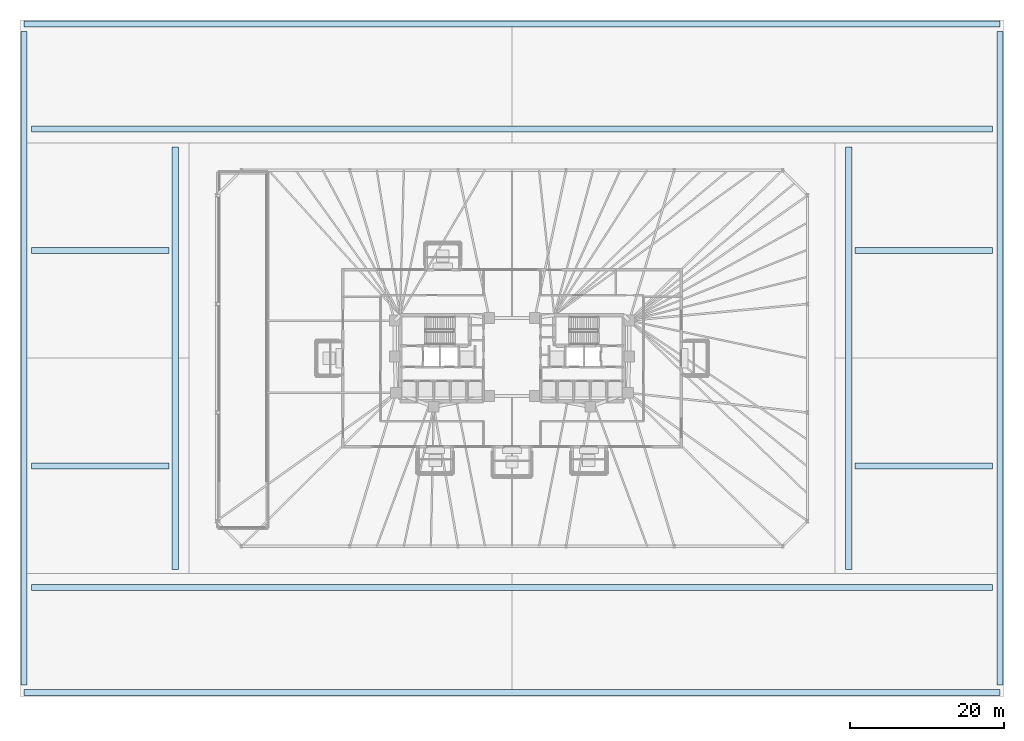
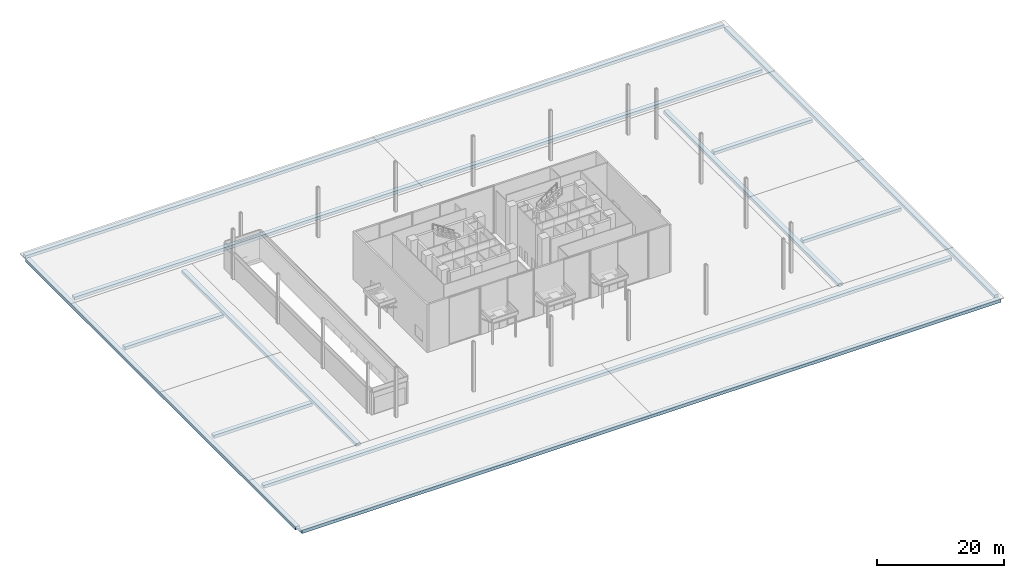
# One storey, part 1 of 24: 12 footings.
"""IFC4 building model written with IfcOpenShell, lengths in metres."""

import ifcopenshell
import ifcopenshell.guid

model = None  # the IFC model being written
_history = None  # IfcOwnerHistory: only IFC2X3 demands one
_inside = {}  # id of a spatial element -> (the spatial element, [elements in it])
_under = {}  # id of a project, library or spatial element -> (it, [spatial elements below it])
_declared = {}  # id of a project -> (the project, [libraries it declares])
_typed = {}  # id of a type object -> (the type object, [elements of that type])
_made_of = {}  # id of a material, layer set ... -> (it, [elements and type objects made of it])


def new_model(schema):
    """Start an empty IFC model of exactly this schema.

    Asked for "IFC4X3", IfcOpenShell would pick the latest addendum, in which some entities
    have other attributes; the version numbers below select the first issue.
    IFC2X3 requires an IfcOwnerHistory on every rooted entity: one is made here for all.
    """
    global model, _history
    if schema == "IFC4X3":
        model = ifcopenshell.file(schema_version=(4, 3, 0, 0))
    else:
        model = ifcopenshell.file(schema=schema)
    _inside.clear()
    _under.clear()
    _declared.clear()
    _typed.clear()
    _made_of.clear()
    _history = None
    if model.schema == "IFC2X3":
        org = make("IfcOrganization", Name="unknown")
        user = make(
            "IfcPersonAndOrganization",
            ThePerson=make("IfcPerson", FamilyName="unknown"),
            TheOrganization=org,
        )
        app = make(
            "IfcApplication",
            ApplicationDeveloper=org,
            Version="unknown",
            ApplicationFullName="unknown",
            ApplicationIdentifier="unknown",
        )
        _history = make(
            "IfcOwnerHistory",
            OwningUser=user,
            OwningApplication=app,
            ChangeAction="ADDED",
            CreationDate=0,
        )
    return model


def make(cls, **values):
    """One entity of the class cls with the attributes given. An attribute that is None is left unset."""
    return model.create_entity(
        cls, **{name: value for name, value in values.items() if value is not None}
    )


def rooted(cls, **values):
    """An entity with a GlobalId (a new one), such as an element, a storey or a relation."""
    return make(cls, GlobalId=ifcopenshell.guid.new(), OwnerHistory=_history, **values)


def si_unit(unit_type, name, prefix=None):
    """IfcSIUnit, for example si_unit("LENGTHUNIT", "METRE", prefix="MILLI")."""
    return make("IfcSIUnit", UnitType=unit_type, Prefix=prefix, Name=name)


def assignment(units):
    """IfcUnitAssignment: the units of a project."""
    return None if units is None else make("IfcUnitAssignment", Units=units)


def point(xyz):
    """IfcCartesianPoint."""
    return None if xyz is None else make("IfcCartesianPoint", Coordinates=xyz)


def direction(xyz):
    """IfcDirection."""
    return None if xyz is None else make("IfcDirection", DirectionRatios=xyz)


def frame(location, z_axis=None, x_axis=None):
    """IfcAxis2Placement3D, a coordinate frame: its origin and axes. An axis left out is left unset."""
    return make(
        "IfcAxis2Placement3D",
        Location=point(location),
        Axis=direction(z_axis),
        RefDirection=direction(x_axis),
    )


def frame_2d(location, x_axis=None):
    """IfcAxis2Placement2D, a coordinate frame in the plane: its origin and x axis."""
    return make(
        "IfcAxis2Placement2D", Location=point(location), RefDirection=direction(x_axis)
    )


def origin():
    """The frame at (0, 0, 0) with its axes left unset."""
    return frame((0.0, 0.0, 0.0))


def origin_2d():
    """The frame at (0, 0) in the plane with its x axis left unset."""
    return frame_2d((0.0, 0.0))


def place(relative_to, where):
    """IfcLocalPlacement: puts the frame where relative to a parent placement (None: the world)."""
    return make(
        "IfcLocalPlacement", PlacementRelTo=relative_to, RelativePlacement=where
    )


def context(
    kind, dimensions, precision=None, world=None, true_north=None, identifier=None
):
    """IfcGeometricRepresentationContext, for example the 3D "Model" context."""
    return make(
        "IfcGeometricRepresentationContext",
        ContextIdentifier=identifier,
        ContextType=kind,
        CoordinateSpaceDimension=dimensions,
        Precision=precision,
        WorldCoordinateSystem=world,
        TrueNorth=true_north,
    )


def subcontext(parent, identifier, kind, view, scale=None):
    """IfcGeometricRepresentationSubContext, for example "Body" below "Model"."""
    return make(
        "IfcGeometricRepresentationSubContext",
        ContextIdentifier=identifier,
        ContextType=kind,
        ParentContext=parent,
        TargetScale=scale,
        TargetView=view,
    )


def project(units=None, contexts=None):
    """IfcProject with its units and contexts."""
    return rooted(
        "IfcProject",
        Name="project",
        RepresentationContexts=contexts,
        UnitsInContext=assignment(units),
    )


def spatial(cls, under=None, at=None, **own):
    """A site, building, storey or space (cls), placed at a placement, below another one or the project."""
    s = rooted(cls, ObjectPlacement=at, **own)
    if under is not None:
        _under.setdefault(under.id(), (under, []))[1].append(s)
    return s


def profile(cls, at=None, kind="AREA", **sizes):
    """A parametric profile (cls). Its sizes go by their IFC names, for example OverallWidth=200.0."""
    return make(cls, ProfileType=kind, Position=at, **sizes)


def rectangle(**sizes):
    """IfcRectangleProfileDef."""
    return profile("IfcRectangleProfileDef", **sizes)


def extrude(swept, where, along, depth):
    """IfcExtrudedAreaSolid: the profile swept, set in the frame where, extruded along a direction by depth."""
    return make(
        "IfcExtrudedAreaSolid",
        SweptArea=swept,
        Position=where,
        ExtrudedDirection=direction(along),
        Depth=depth,
    )


def shape(context_of_items, identifier, shape_type, items):
    """IfcShapeRepresentation: the items that make up one representation, for example the "Body"."""
    return make(
        "IfcShapeRepresentation",
        ContextOfItems=context_of_items,
        RepresentationIdentifier=identifier,
        RepresentationType=shape_type,
        Items=items,
    )


def material(Name=None, Category=None):
    """IfcMaterial."""
    return make("IfcMaterial", Name=Name, Category=Category)


def material_profile(
    of_material, cross_section, Name=None, Category=None, Priority=None
):
    """IfcMaterialProfile: a cross section and its material."""
    return make(
        "IfcMaterialProfile",
        Name=Name,
        Material=of_material,
        Profile=cross_section,
        Priority=Priority,
        Category=Category,
    )


def profile_set(profiles, Name=None, composite=None):
    """IfcMaterialProfileSet."""
    return make(
        "IfcMaterialProfileSet",
        Name=Name,
        MaterialProfiles=profiles,
        CompositeProfile=composite,
    )


def made_of(thing, what):
    """Note that an element or type object is made of a material, layer set ...; save() writes the relation."""
    if what is not None:
        _made_of.setdefault(what.id(), (what, []))[1].append(thing)
    return thing


def type_object(cls, material=None, **own):
    """A type object (cls), such as IfcWallType, which elements share."""
    return made_of(rooted(cls, **own), material)


def element(
    cls,
    number,
    at=None,
    inside=None,
    cuts=None,
    type_object=None,
    material=None,
    context=None,
    identifier="Body",
    shape_type=None,
    held_by="IfcProductDefinitionShape",
    body=None,
    shapes=None,
    **own,
):
    """One element of the class cls, such as IfcWall. Its Tag is "e" and its number.

    at: its placement. inside: the storey or other place that contains it. cuts: it is an
    opening in that element (IfcRelVoidsElement). A single representation is given by context,
    identifier, shape_type and body (its items); several are given by shapes. held_by: the class
    of the entity that holds the representations. save() writes the other relations.
    """
    e = rooted(cls, Tag="e%d" % number, ObjectPlacement=at, **own)
    if body is not None:
        shapes = [shape(context, identifier, shape_type, body)]
    if shapes is not None:
        e.Representation = make(held_by, Representations=shapes)
    if inside is not None:
        _inside.setdefault(inside.id(), (inside, []))[1].append(e)
    if cuts is not None:
        rooted(
            "IfcRelVoidsElement", RelatingBuildingElement=cuts, RelatedOpeningElement=e
        )
    if type_object is not None:
        _typed.setdefault(type_object.id(), (type_object, []))[1].append(e)
    return made_of(e, material)


def aggregate(whole, parts):
    """IfcRelAggregates: a whole, such as a stair, and the parts it consists of."""
    return rooted("IfcRelAggregates", RelatingObject=whole, RelatedObjects=parts)


def save(model, path):
    """Write the relations noted so far, then the file.

    IfcRelAggregates (storeys below a building ...), IfcRelContainedInSpatialStructure (elements
    in a storey), IfcRelDefinesByType, IfcRelAssociatesMaterial and IfcRelDeclares: one each for
    every whole, place, type object, material and project.
    """
    for whole, parts in _under.values():
        aggregate(whole, parts)
    for where, things in _inside.values():
        rooted(
            "IfcRelContainedInSpatialStructure",
            RelatedElements=things,
            RelatingStructure=where,
        )
    for kind, things in _typed.values():
        rooted("IfcRelDefinesByType", RelatedObjects=things, RelatingType=kind)
    for what, things in _made_of.values():
        rooted("IfcRelAssociatesMaterial", RelatedObjects=things, RelatingMaterial=what)
    for by, libraries in _declared.values():
        rooted("IfcRelDeclares", RelatingContext=by, RelatedDefinitions=libraries)
    model.write(path)


model = new_model("IFC4")

# Units and contexts
model_context = context("Model", 3, precision=1e-05, world=origin(), true_north=direction((0.0, 1.0)))
body_context = subcontext(model_context, "Body", "Model", "MODEL_VIEW")
ifc_project = project(units=[si_unit("LENGTHUNIT", "METRE"), si_unit("AREAUNIT", "SQUARE_METRE"), si_unit("VOLUMEUNIT", "CUBIC_METRE"), si_unit("PLANEANGLEUNIT", "RADIAN"), si_unit("MASSUNIT", "GRAM", prefix="KILO")], contexts=[model_context])

# Site, building, storey
site_placement = place(None, origin())
site = spatial("IfcSite", under=ifc_project, at=site_placement, CompositionType="ELEMENT")
building_placement = place(site_placement, origin())
building = spatial("IfcBuilding", under=site, at=building_placement, Name="Menara Jurai Vektor", CompositionType="ELEMENT")
storey_placement = place(building_placement, origin())
storey = spatial("IfcBuildingStorey", under=building, at=storey_placement, Name="L00", CompositionType="ELEMENT", Elevation=0.0)

# Footings
ifc_material = material(Name="Concrete C40/50", Category="concrete")
ifc_material_profile = material_profile(ifc_material, rectangle(XDim=0.800048828125, YDim=0.60009765625, at=origin_2d()), Name="RC 800x600")
ifc_profile_set = profile_set([ifc_material_profile], Name="Concrete C40/50")
footing_type = type_object("IfcFootingType", Name="STR-SF-PLAZA", PredefinedType="STRIP_FOOTING", material=ifc_profile_set)
footing_1_placement = place(storey_placement, frame((-63.5, -43.5, -0.449951171875), z_axis=(1.0, 0.0, 0.0), x_axis=(0.0, 1.0, 0.0)))
element("IfcFooting", 1, at=footing_1_placement, inside=storey, type_object=footing_type, Name="Plaza Grade Strip Footing GSF-S-OUT", PredefinedType="STRIP_FOOTING", context=body_context, shape_type="SweptSolid", body=[
    extrude(rectangle(XDim=0.800048828125, YDim=0.60009765625, at=origin_2d()), origin(), (0.0, 0.0, 1.0), 127.0),
])
footing_2_placement = place(storey_placement, frame((-62.5, -29.800048828125, -0.449951171875), z_axis=(1.0, 0.0, 0.0), x_axis=(0.0, 1.0, 0.0)))
element("IfcFooting", 2, at=footing_2_placement, inside=storey, type_object=footing_type, Name="Plaza Grade Strip Footing GSF-S-IN", PredefinedType="STRIP_FOOTING", context=body_context, shape_type="SweptSolid", body=[
    extrude(rectangle(XDim=0.800048828125, YDim=0.60009765625, at=origin_2d()), origin(), (0.0, 0.0, 1.0), 125.0),
])
footing_3_placement = place(storey_placement, frame((-63.5, 43.5, -0.449951171875), z_axis=(1.0, 0.0, 0.0), x_axis=(0.0, 1.0, 0.0)))
element("IfcFooting", 3, at=footing_3_placement, inside=storey, type_object=footing_type, Name="Plaza Grade Strip Footing GSF-N-OUT", PredefinedType="STRIP_FOOTING", context=body_context, shape_type="SweptSolid", body=[
    extrude(rectangle(XDim=0.800048828125, YDim=0.60009765625, at=origin_2d()), origin(), (0.0, 0.0, 1.0), 127.0),
])
footing_4_placement = place(storey_placement, frame((-62.5, 29.800048828125, -0.449951171875), z_axis=(1.0, 0.0, 0.0), x_axis=(0.0, 1.0, 0.0)))
element("IfcFooting", 4, at=footing_4_placement, inside=storey, type_object=footing_type, Name="Plaza Grade Strip Footing GSF-N-IN", PredefinedType="STRIP_FOOTING", context=body_context, shape_type="SweptSolid", body=[
    extrude(rectangle(XDim=0.800048828125, YDim=0.60009765625, at=origin_2d()), origin(), (0.0, 0.0, 1.0), 125.0),
])
footing_5_placement = place(storey_placement, frame((-63.5, -42.5, -0.449951171875), z_axis=(0.0, 1.0, 0.0), x_axis=(-1.0, 0.0, 0.0)))
element("IfcFooting", 5, at=footing_5_placement, inside=storey, type_object=footing_type, Name="Plaza Grade Strip Footing GSF-W-OUT", PredefinedType="STRIP_FOOTING", context=body_context, shape_type="SweptSolid", body=[
    extrude(rectangle(XDim=0.800048828125, YDim=0.60009765625, at=origin_2d()), origin(), (0.0, 0.0, 1.0), 85.0),
])
footing_6_placement = place(storey_placement, frame((-43.800048828125, -27.5, -0.449951171875), z_axis=(0.0, 1.0, 0.0), x_axis=(-1.0, 0.0, 0.0)))
element("IfcFooting", 6, at=footing_6_placement, inside=storey, type_object=footing_type, Name="Plaza Grade Strip Footing GSF-W-IN", PredefinedType="STRIP_FOOTING", context=body_context, shape_type="SweptSolid", body=[
    extrude(rectangle(XDim=0.800048828125, YDim=0.60009765625, at=origin_2d()), origin(), (0.0, 0.0, 1.0), 55.0),
])
footing_7_placement = place(storey_placement, frame((63.5, -42.5, -0.449951171875), z_axis=(0.0, 1.0, 0.0), x_axis=(-1.0, 0.0, 0.0)))
element("IfcFooting", 7, at=footing_7_placement, inside=storey, type_object=footing_type, Name="Plaza Grade Strip Footing GSF-E-OUT", PredefinedType="STRIP_FOOTING", context=body_context, shape_type="SweptSolid", body=[
    extrude(rectangle(XDim=0.800048828125, YDim=0.60009765625, at=origin_2d()), origin(), (0.0, 0.0, 1.0), 85.0),
])
footing_8_placement = place(storey_placement, frame((43.800048828125, -27.5, -0.449951171875), z_axis=(0.0, 1.0, 0.0), x_axis=(-1.0, 0.0, 0.0)))
element("IfcFooting", 8, at=footing_8_placement, inside=storey, type_object=footing_type, Name="Plaza Grade Strip Footing GSF-E-IN", PredefinedType="STRIP_FOOTING", context=body_context, shape_type="SweptSolid", body=[
    extrude(rectangle(XDim=0.800048828125, YDim=0.60009765625, at=origin_2d()), origin(), (0.0, 0.0, 1.0), 55.0),
])
for number, where, z_axis, x_axis, name in (
    (9, (-62.5, -14.0, -0.449951171875), (1.0, 0.0, 0.0), (0.0, 1.0, 0.0), "Plaza Grade Strip Footing GSF-W-M1"),
    (10, (-62.5, 14.0, -0.449951171875), (1.0, 0.0, 0.0), (0.0, 1.0, 0.0), "Plaza Grade Strip Footing GSF-W-M2"),
    (11, (44.60009765625, -14.0, -0.449951171875), (1.0, 0.0, 0.0), (0.0, 1.0, 0.0), "Plaza Grade Strip Footing GSF-E-M1"),
    (12, (44.60009765625, 14.0, -0.449951171875), (1.0, 0.0, 0.0), (0.0, 1.0, 0.0), "Plaza Grade Strip Footing GSF-E-M2"),
):
    element("IfcFooting", number, at=place(storey_placement, frame(where, z_axis=z_axis, x_axis=x_axis)), inside=storey, type_object=footing_type, Name=name, PredefinedType="STRIP_FOOTING", context=body_context, shape_type="SweptSolid", body=[
        extrude(rectangle(XDim=0.800048828125, YDim=0.60009765625, at=origin_2d()), origin(), (0.0, 0.0, 1.0), 17.89990234375),
    ])

save(model, "model.ifc")
